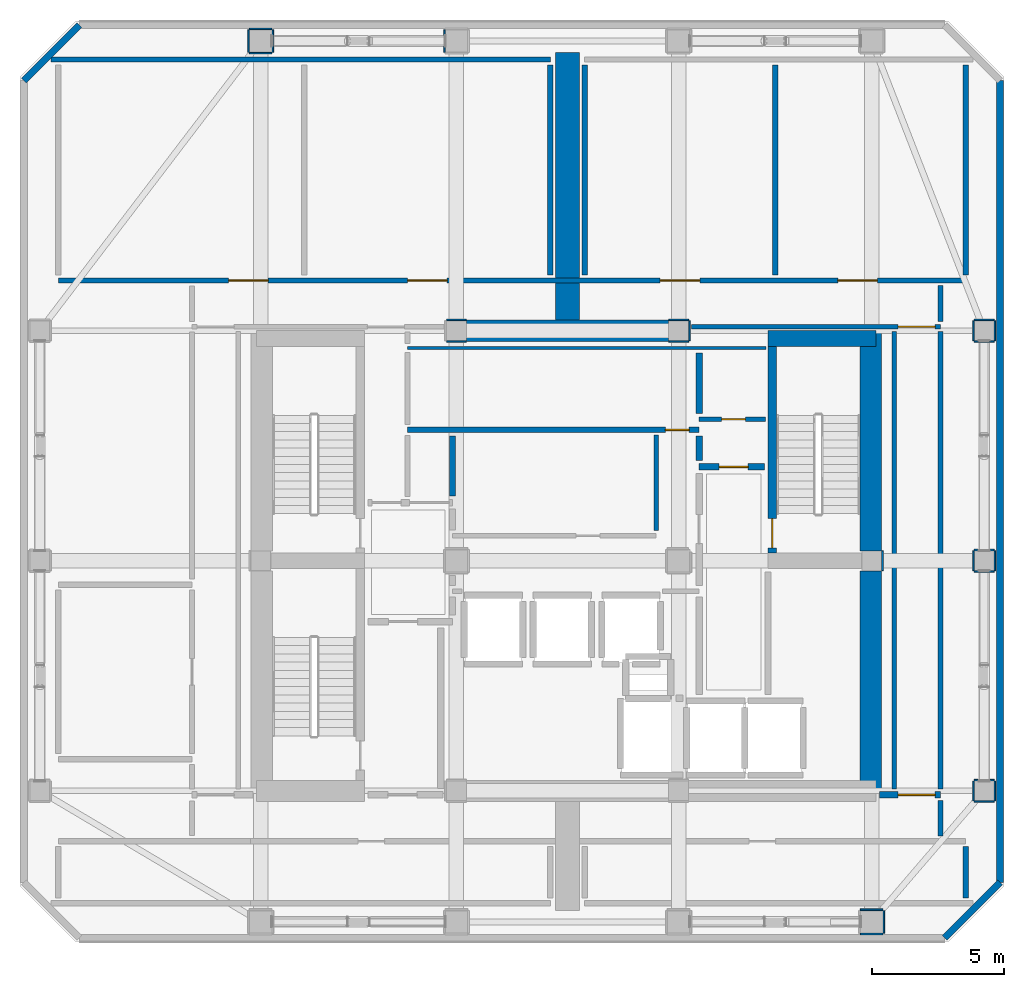
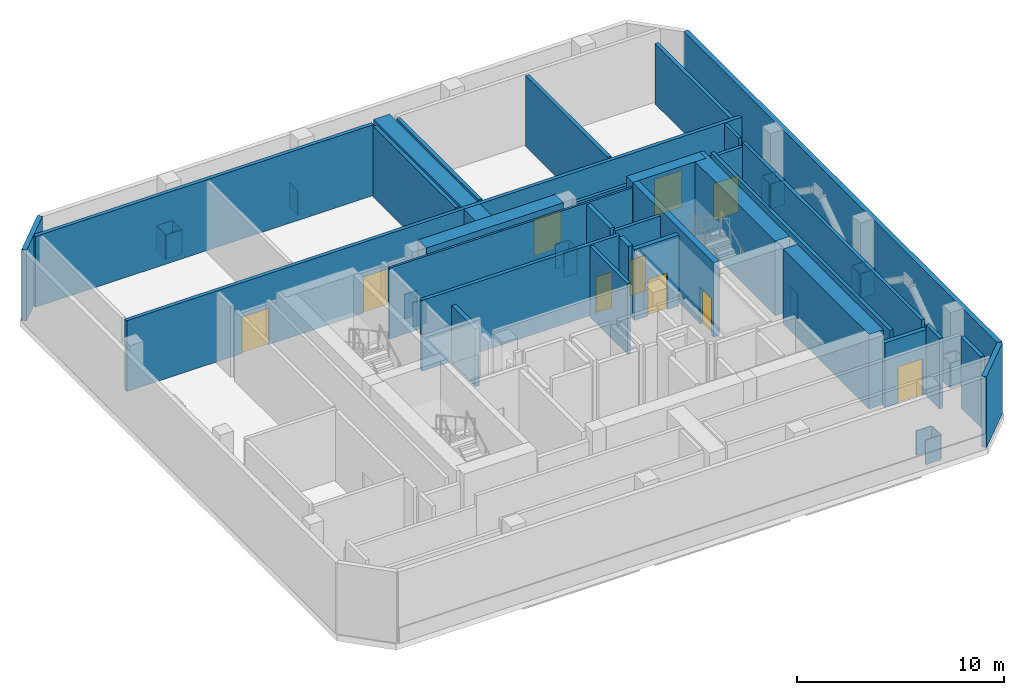
# One storey, part 10 of 13: 56 walls, 10 doors, 10 openings.
"""IFC4 building model written with IfcOpenShell, lengths in metres."""

from ifc_helpers import new_model, si_unit, direction, frame, frame_2d, origin, place, context, subcontext, project, spatial, rectangle, extrude, material, layer, layer_set, type_object, element, fill, save


model = new_model("IFC4")

# Units and contexts
model_context = context("Model", 3, precision=1e-05, world=origin(), true_north=direction((0.0, 1.0)))
body_context = subcontext(model_context, "Body", "Model", "MODEL_VIEW")
ifc_project = project(units=[si_unit("LENGTHUNIT", "METRE"), si_unit("AREAUNIT", "SQUARE_METRE"), si_unit("VOLUMEUNIT", "CUBIC_METRE"), si_unit("PLANEANGLEUNIT", "RADIAN"), si_unit("MASSUNIT", "GRAM", prefix="KILO")], contexts=[model_context])

# Site, building, storey
site_placement = place(None, origin())
site = spatial("IfcSite", under=ifc_project, at=site_placement, CompositionType="ELEMENT")
building_placement = place(site_placement, origin())
building = spatial("IfcBuilding", under=site, at=building_placement, Name="Solanera Arch Residences", CompositionType="ELEMENT")
storey_placement = place(building_placement, frame((0.0, 0.0, 257.840087890625)))
storey = spatial("IfcBuildingStorey", under=building, at=storey_placement, Name="L75", CompositionType="ELEMENT", Elevation=257.840087890625)

# Walls
ifc_material_1 = material(Name="Fire-Rated Gypsum Stud Partition", Category="gypsum")
ifc_layer_1 = layer(ifc_material_1, 0.06005859375)
ifc_layer_set_1 = layer_set([ifc_layer_1], Name="Fire-Rated Gypsum Stud Partition")
wall_type_1 = type_object("IfcWallType", Name="Column Acoustic Furring Wall 60", PredefinedType="PARTITIONING", material=ifc_layer_set_1)
for number, where, z_axis, x_axis, name in (
    (1, (20.425048828125, 38.992919921875, 0.0), (0.0, 0.0, 1.0), (1.0, 0.0, 0.0), "L75 Column Furring 3S"),
    (2, (20.425048828125, 39.806884765625, 0.0), (0.0, 0.0, 1.0), (1.0, 0.0, 0.0), "L75 Column Furring 3N"),
    (3, (28.8330078125, 38.992919921875, 0.0), (0.0, 0.0, 1.0), (1.0, 0.0, 0.0), "L75 Column Furring 4S"),
    (4, (28.8330078125, 39.806884765625, 0.0), (0.0, 0.0, 1.0), (1.0, 0.0, 0.0), "L75 Column Furring 4N"),
):
    element("IfcWall", number, at=place(storey_placement, frame(where, z_axis=z_axis, x_axis=x_axis)), inside=storey, type_object=wall_type_1, Name=name, PredefinedType="PARTITIONING", context=body_context, shape_type="SweptSolid", body=[
        extrude(rectangle(XDim=0.741943359375, YDim=0.06005859375, at=frame_2d((0.37109375, 0.0))), origin(), (0.0, 0.0, 1.0), 1.449951171875),
    ])
for number, where, z_axis, x_axis, name in (
    (5, (29.60693359375, 39.02490234375, 0.0), (0.0, 0.0, 1.0), (0.0, 1.0, 0.0), "L75 Column Furring 4E"),
    (6, (36.906982421875, 30.324951171875, 0.0), (0.0, 0.0, 1.0), (0.0, 1.0, 0.0), "L75 Column Furring 6E"),
):
    element("IfcWall", number, at=place(storey_placement, frame(where, z_axis=z_axis, x_axis=x_axis)), inside=storey, type_object=wall_type_1, Name=name, PredefinedType="PARTITIONING", context=body_context, shape_type="SweptSolid", body=[
        extrude(rectangle(XDim=0.75, YDim=0.06005859375, at=frame_2d((0.375, 0.0))), origin(), (0.0, 0.0, 1.0), 1.449951171875),
    ])
for number, where, z_axis, x_axis, name in (
    (7, (12.97509765625, 49.89306640625, 0.0), (0.0, 0.0, 1.0), (1.0, 0.0, 0.0), "L75 Column Furring 10S"),
    (8, (12.97509765625, 50.806884765625, 0.0), (0.0, 0.0, 1.0), (1.0, 0.0, 0.0), "L75 Column Furring 10N"),
    (9, (12.943115234375, 49.925048828125, 0.0), (0.0, 0.0, 1.0), (0.0, 1.0, 0.0), "L75 Column Furring 10W"),
    (10, (13.85693359375, 49.925048828125, 0.0), (0.0, 0.0, 1.0), (0.0, 1.0, 0.0), "L75 Column Furring 10E"),
    (11, (20.343017578125, 49.925048828125, 0.0), (0.0, 0.0, 1.0), (0.0, 1.0, 0.0), "L75 Column Furring 12W"),
):
    element("IfcWall", number, at=place(storey_placement, frame(where, z_axis=z_axis, x_axis=x_axis)), inside=storey, type_object=wall_type_1, Name=name, PredefinedType="PARTITIONING", context=body_context, shape_type="SweptSolid", body=[
        extrude(rectangle(XDim=0.849853515625, YDim=0.06005859375, at=frame_2d((0.4248046875, 0.0))), origin(), (0.0, 0.0, 1.0), 1.449951171875),
    ])
for number, where, z_axis, x_axis, name in (
    (12, (36.074951171875, 16.593017578125, 0.0), (0.0, 0.0, 1.0), (1.0, 0.0, 0.0), "L75 Column Furring 15S"),
    (13, (36.074951171875, 17.507080078125, 0.0), (0.0, 0.0, 1.0), (1.0, 0.0, 0.0), "L75 Column Furring 15N"),
    (14, (36.95703125, 16.625, 0.0), (0.0, 0.0, 1.0), (0.0, 1.0, 0.0), "L75 Column Furring 15E"),
):
    element("IfcWall", number, at=place(storey_placement, frame(where, z_axis=z_axis, x_axis=x_axis)), inside=storey, type_object=wall_type_1, Name=name, PredefinedType="PARTITIONING", context=body_context, shape_type="SweptSolid", body=[
        extrude(rectangle(XDim=0.85009765625, YDim=0.06005859375, at=frame_2d((0.425048828125, 0.0))), origin(), (0.0, 0.0, 1.0), 1.449951171875),
    ])
for number, where, z_axis, x_axis, name in (
    (15, (40.375, 21.593017578125, 0.0), (0.0, 0.0, 1.0), (1.0, 0.0, 0.0), "L75 Column Furring 18S"),
    (16, (40.375, 22.406982421875, 0.0), (0.0, 0.0, 1.0), (1.0, 0.0, 0.0), "L75 Column Furring 18N"),
    (17, (40.343017578125, 21.625, 0.0), (0.0, 0.0, 1.0), (0.0, 1.0, 0.0), "L75 Column Furring 18W"),
    (18, (41.156982421875, 21.625, 0.0), (0.0, 0.0, 1.0), (0.0, 1.0, 0.0), "L75 Column Furring 18E"),
    (19, (40.375, 30.29296875, 0.0), (0.0, 0.0, 1.0), (1.0, 0.0, 0.0), "L75 Column Furring 20S"),
    (20, (40.375, 31.10693359375, 0.0), (0.0, 0.0, 1.0), (1.0, 0.0, 0.0), "L75 Column Furring 20N"),
    (21, (40.343017578125, 30.324951171875, 0.0), (0.0, 0.0, 1.0), (0.0, 1.0, 0.0), "L75 Column Furring 20W"),
    (22, (41.156982421875, 30.324951171875, 0.0), (0.0, 0.0, 1.0), (0.0, 1.0, 0.0), "L75 Column Furring 20E"),
    (23, (40.375, 38.992919921875, 0.0), (0.0, 0.0, 1.0), (1.0, 0.0, 0.0), "L75 Column Furring 22S"),
    (24, (40.375, 39.806884765625, 0.0), (0.0, 0.0, 1.0), (1.0, 0.0, 0.0), "L75 Column Furring 22N"),
    (25, (40.343017578125, 39.02490234375, 0.0), (0.0, 0.0, 1.0), (0.0, 1.0, 0.0), "L75 Column Furring 22W"),
    (26, (41.156982421875, 39.02490234375, 0.0), (0.0, 0.0, 1.0), (0.0, 1.0, 0.0), "L75 Column Furring 22E"),
):
    element("IfcWall", number, at=place(storey_placement, frame(where, z_axis=z_axis, x_axis=x_axis)), inside=storey, type_object=wall_type_1, Name=name, PredefinedType="PARTITIONING", context=body_context, shape_type="SweptSolid", body=[
        extrude(rectangle(XDim=0.75, YDim=0.06005859375, at=frame_2d((0.375, 0.0))), origin(), (0.0, 0.0, 1.0), 1.449951171875),
    ])

# Wall, opening, door
ifc_material_2 = material(Name="Concrete C40/50 (f'c = 45 MPa)", Category="concrete")
ifc_layer_2 = layer(ifc_material_2, 0.320068359375)
ifc_layer_set_2 = layer_set([ifc_layer_2], Name="Concrete C40/50 (f'c = 45 MPa)")
wall_type_2 = type_object("IfcWallType", Name="Core Shear Wall CW-320", PredefinedType="SHEAR", material=ifc_layer_set_2)
wall_1_placement = place(storey_placement, frame((32.739990234375, 31.0, 0.0), z_axis=(0.0, 0.0, 1.0), x_axis=(0.0, 1.0, 0.0)))
wall_1 = element("IfcWall", 27, at=wall_1_placement, inside=storey, type_object=wall_type_2, Name="L75 Stair ST-T2 West Shear Wall", PredefinedType="SHEAR", context=body_context, shape_type="SweptSolid", body=[
    extrude(rectangle(XDim=7.800048828125, YDim=0.320068359375, at=frame_2d((3.89990234375, 0.0))), origin(), (0.0, 0.0, 1.0), 4.39990234375),
])
opening_1_placement = place(wall_1_placement, frame((0.18994140625, 0.0, 0.0)))
opening_1 = element("IfcOpeningElement", 28, at=opening_1_placement, cuts=wall_1, Name="Opening DF-01", PredefinedType="OPENING", context=body_context, shape_type="SweptSolid", body=[
    extrude(rectangle(XDim=1.10009765625, YDim=2.14990234375, at=frame_2d((0.550048828125, 1.074951171875))), frame((0.0, 0.169921875, 0.0), z_axis=(0.0, -1.0, 0.0), x_axis=(1.0, 0.0, 0.0)), (0.0, 0.0, 1.0), 0.3401),
])
ifc_material_3 = material(Name="Fire-Rated Architectural Hardwood", Category="wood")
door_type_1 = type_object("IfcDoorType", Name="Stair Exit Fire Door DF-01", OperationType="NOTDEFINED", PredefinedType="DOOR", material=ifc_material_3)
door_1_placement = place(opening_1_placement, origin())
door_1 = element("IfcDoor", 29, at=door_1_placement, inside=storey, type_object=door_type_1, Name="DR-L75-STAIR-ST-T2", OperationType="SINGLE_SWING_RIGHT", OverallHeight=2.14990234375, OverallWidth=1.10009765625, PredefinedType="DOOR", context=body_context, shape_type="SweptSolid", body=[
    extrude(rectangle(XDim=1.10009765625, YDim=2.14990234375, at=frame_2d((0.550048828125, 1.074951171875))), frame((0.0, 0.02490234375, 0.0), z_axis=(0.0, -1.0, 0.0), x_axis=(1.0, 0.0, 0.0)), (0.0, 0.0, 1.0), 0.050048828125),
])
fill(opening_1, door_1)

# Walls
ifc_material_4 = material(Name="Concrete C40/50 (f'c = 45 MPa)", Category="concrete")
ifc_layer_3 = layer(ifc_material_4, 0.60009765625)
ifc_layer_set_3 = layer_set([ifc_layer_3], Name="Concrete C40/50 (f'c = 45 MPa)")
wall_type_3 = type_object("IfcWallType", Name="Core Shear Wall CW-600", PredefinedType="SHEAR", material=ifc_layer_set_3)
wall_2_placement = place(storey_placement, frame((32.580078125, 39.10009765625, 0.0), z_axis=(0.0, 0.0, 1.0), x_axis=(1.0, 0.0, 0.0)))
element("IfcWall", 30, at=wall_2_placement, inside=storey, type_object=wall_type_3, Name="L75 North-East Core Shear Wall", PredefinedType="SHEAR", context=body_context, shape_type="SweptSolid", body=[
    extrude(rectangle(XDim=4.079833984375, YDim=0.60009765625, at=frame_2d((2.0400390625, 0.0))), origin(), (0.0, 0.0, 1.0), 4.39990234375),
])
ifc_material_5 = material(Name="Concrete C40/50 (f'c = 45 MPa)", Category="concrete")
ifc_layer_4 = layer(ifc_material_5, 0.800048828125)
ifc_layer_set_4 = layer_set([ifc_layer_4], Name="Concrete C40/50 (f'c = 45 MPa)")
wall_type_4 = type_object("IfcWallType", Name="Core Shear Wall CW-800", PredefinedType="SHEAR", material=ifc_layer_set_4)
wall_3_placement = place(storey_placement, frame((36.4599609375, 22.0, 0.0), z_axis=(0.0, 0.0, 1.0), x_axis=(0.0, 1.0, 0.0)))
element("IfcWall", 31, at=wall_3_placement, inside=storey, type_object=wall_type_4, Name="L75 East Core South Shear Wall", PredefinedType="SHEAR", context=body_context, shape_type="SweptSolid", body=[
    extrude(rectangle(XDim=8.320068359375, YDim=0.800048828125, at=frame_2d((4.16015625, 0.0))), origin(), (0.0, 0.0, 1.0), 4.39990234375),
])
wall_4_placement = place(storey_placement, frame((36.4599609375, 31.080078125, 0.0), z_axis=(0.0, 0.0, 1.0), x_axis=(0.0, 1.0, 0.0)))
element("IfcWall", 32, at=wall_4_placement, inside=storey, type_object=wall_type_4, Name="L75 East Core North Shear Wall", PredefinedType="SHEAR", context=body_context, shape_type="SweptSolid", body=[
    extrude(rectangle(XDim=8.31982421875, YDim=0.800048828125, at=frame_2d((4.159912109375, 0.0))), origin(), (0.0, 0.0, 1.0), 4.39990234375),
])
wall_5_placement = place(storey_placement, frame((21.179931640625, 39.39990234375, 0.0), z_axis=(0.0, 0.0, 1.0), x_axis=(1.0, 0.0, 0.0)))
element("IfcWall", 33, at=wall_5_placement, inside=storey, type_object=wall_type_4, Name="L75 Central North Core Shear Wall", PredefinedType="SHEAR", context=body_context, shape_type="SweptSolid", body=[
    extrude(rectangle(XDim=7.64013671875, YDim=0.800048828125, at=frame_2d((3.820068359375, 0.0))), origin(), (0.0, 0.0, 1.0), 4.39990234375),
])
ifc_material_6 = material(Name="Concrete C55/67 (f'c = 60 MPa)", Category="concrete")
ifc_layer_5 = layer(ifc_material_6, 0.89990234375)
ifc_layer_set_5 = layer_set([ifc_layer_5], Name="Concrete C55/67 (f'c = 60 MPa)")
wall_type_5 = type_object("IfcWallType", Name="Core Shear Wall Outrigger OW-900", PredefinedType="SHEAR", material=ifc_layer_set_5)
wall_6_placement = place(storey_placement, frame((25.0, 39.800048828125, 0.0), z_axis=(0.0, 0.0, 1.0), x_axis=(0.0, 1.0, 0.0)))
element("IfcWall", 34, at=wall_6_placement, inside=storey, type_object=wall_type_5, Name="L75 North Outrigger Shear Wall", PredefinedType="SHEAR", context=body_context, shape_type="SweptSolid", body=[
    extrude(rectangle(XDim=10.125, YDim=0.89990234375, at=frame_2d((5.0625, 0.0))), origin(), (0.0, 0.0, 1.0), 4.179931640625),
])

# Wall, opening, door
ifc_material_7 = material(Name="Autoclaved Aerated Concrete Blockwork", Category="masonry")
ifc_layer_6 = layer(ifc_material_7, 0.179931640625)
ifc_layer_set_6 = layer_set([ifc_layer_6], Name="Autoclaved Aerated Concrete Blockwork")
wall_type_6 = type_object("IfcWallType", Name="Corridor Fire Partition 180", PredefinedType="PARTITIONING", material=ifc_layer_set_6)
wall_7_placement = place(storey_placement, frame((29.97509765625, 36.050048828125, 0.0), z_axis=(0.0, 0.0, 1.0), x_axis=(1.0, 0.0, 0.0)))
wall_7 = element("IfcWall", 35, at=wall_7_placement, inside=storey, type_object=wall_type_6, Name="L75 Interior Partition H17", PredefinedType="PARTITIONING", context=body_context, shape_type="SweptSolid", body=[
    extrude(rectangle(XDim=2.5048828125, YDim=0.179931640625, at=frame_2d((1.25244140625, 0.0))), origin(), (0.0, 0.0, 1.0), 4.179931640625),
])
opening_2_placement = place(wall_7_placement, frame((0.85205078125, 0.0, 0.0)))
opening_2 = element("IfcOpeningElement", 36, at=opening_2_placement, cuts=wall_7, Name="Opening DI-02", PredefinedType="OPENING", context=body_context, shape_type="SweptSolid", body=[
    extrude(rectangle(XDim=0.89990234375, YDim=2.10009765625, at=frame_2d((0.449951171875, 1.050048828125))), frame((0.0, 0.10009765625, 0.0), z_axis=(0.0, -1.0, 0.0), x_axis=(1.0, 0.0, 0.0)), (0.0, 0.0, 1.0), 0.1999),
])
ifc_material_8 = material(Name="Fire-Rated Architectural Hardwood", Category="wood")
door_type_2 = type_object("IfcDoorType", Name="Suite Room Swing Door DI-02", OperationType="NOTDEFINED", PredefinedType="DOOR", material=ifc_material_8)
door_2_placement = place(opening_2_placement, origin())
door_2 = element("IfcDoor", 37, at=door_2_placement, inside=storey, type_object=door_type_2, Name="DR-L75-IN-015", OperationType="SINGLE_SWING_LEFT", OverallHeight=2.10009765625, OverallWidth=0.89990234375, PredefinedType="DOOR", context=body_context, shape_type="SweptSolid", body=[
    extrude(rectangle(XDim=0.89990234375, YDim=2.10009765625, at=frame_2d((0.449951171875, 1.050048828125))), frame((0.0, 0.02490234375, 0.0), z_axis=(0.0, -1.0, 0.0), x_axis=(1.0, 0.0, 0.0)), (0.0, 0.0, 1.0), 0.050048828125),
])
fill(opening_2, door_2)

wall_8_placement = place(storey_placement, frame((29.677001953125, 39.550048828125, 0.0), z_axis=(0.0, 0.0, 1.0), x_axis=(1.0, 0.0, 0.0)))
wall_8 = element("IfcWall", 38, at=wall_8_placement, inside=storey, type_object=wall_type_6, Name="L75 Interior Partition H18 2", PredefinedType="PARTITIONING", context=body_context, shape_type="SweptSolid", body=[
    extrude(rectangle(XDim=9.423095703125, YDim=0.179931640625, at=frame_2d((4.71142578125, 0.0))), origin(), (0.0, 0.0, 1.0), 3.806884765625),
])
opening_3_placement = place(wall_8_placement, frame((7.823974609375, 0.0, 0.0)))
opening_3 = element("IfcOpeningElement", 39, at=opening_3_placement, cuts=wall_8, Name="Opening DF-03", PredefinedType="OPENING", context=body_context, shape_type="SweptSolid", body=[
    extrude(rectangle(XDim=1.39990234375, YDim=2.14990234375, at=frame_2d((0.699951171875, 1.074951171875))), frame((0.0, 0.10009765625, 0.0), z_axis=(0.0, -1.0, 0.0), x_axis=(1.0, 0.0, 0.0)), (0.0, 0.0, 1.0), 0.1999),
])
ifc_material_9 = material(Name="Fire-Rated Architectural Hardwood", Category="wood")
door_type_3 = type_object("IfcDoorType", Name="Corridor Smoke Door DF-03", OperationType="NOTDEFINED", PredefinedType="DOOR", material=ifc_material_9)
door_3_placement = place(opening_3_placement, origin())
door_3 = element("IfcDoor", 40, at=door_3_placement, inside=storey, type_object=door_type_3, Name="DR-L75-IN-013", OperationType="SINGLE_SWING_LEFT", OverallHeight=2.14990234375, OverallWidth=1.39990234375, PredefinedType="DOOR", context=body_context, shape_type="SweptSolid", body=[
    extrude(rectangle(XDim=1.39990234375, YDim=2.14990234375, at=frame_2d((0.699951171875, 1.074951171875))), frame((0.0, 0.02490234375, 0.0), z_axis=(0.0, -1.0, 0.0), x_axis=(1.0, 0.0, 0.0)), (0.0, 0.0, 1.0), 0.050048828125),
])
fill(opening_3, door_3)

# Walls
wall_9_placement = place(storey_placement, frame((28.35009765625, 31.837890625, 0.0), z_axis=(0.0, 0.0, 1.0), x_axis=(0.0, 1.0, 0.0)))
element("IfcWall", 41, at=wall_9_placement, inside=storey, type_object=wall_type_6, Name="L75 Interior Partition V20", PredefinedType="PARTITIONING", context=body_context, shape_type="SweptSolid", body=[
    extrude(rectangle(XDim=3.614013671875, YDim=0.179931640625, at=frame_2d((1.80712890625, 0.0))), origin(), (0.0, 0.0, 1.0), 4.179931640625),
])
wall_10_placement = place(storey_placement, frame((37.35009765625, 22.068115234375, 0.0), z_axis=(0.0, 0.0, 1.0), x_axis=(0.0, 1.0, 0.0)))
element("IfcWall", 42, at=wall_10_placement, inside=storey, type_object=wall_type_6, Name="L75 Interior Partition V21", PredefinedType="PARTITIONING", context=body_context, shape_type="SweptSolid", body=[
    extrude(rectangle(XDim=17.2939453125, YDim=0.179931640625, at=frame_2d((8.64697265625, 0.0))), origin(), (0.0, 0.0, 1.0), 4.179931640625),
])
wall_11_placement = place(storey_placement, frame((39.10009765625, 20.298095703125, 0.0), z_axis=(0.0, 0.0, 1.0), x_axis=(0.0, 1.0, 0.0)))
element("IfcWall", 43, at=wall_11_placement, inside=storey, type_object=wall_type_6, Name="L75 Interior Partition V22 1", PredefinedType="PARTITIONING", context=body_context, shape_type="SweptSolid", body=[
    extrude(rectangle(XDim=1.333984375, YDim=0.179931640625, at=frame_2d((0.6669921875, 0.0))), origin(), (0.0, 0.0, 1.0), 4.179931640625),
])
wall_12_placement = place(storey_placement, frame((39.10009765625, 22.068115234375, 0.0), z_axis=(0.0, 0.0, 1.0), x_axis=(0.0, 1.0, 0.0)))
element("IfcWall", 44, at=wall_12_placement, inside=storey, type_object=wall_type_6, Name="L75 Interior Partition V22 2", PredefinedType="PARTITIONING", context=body_context, shape_type="SweptSolid", body=[
    extrude(rectangle(XDim=17.2939453125, YDim=0.179931640625, at=frame_2d((8.64697265625, 0.0))), origin(), (0.0, 0.0, 1.0), 4.179931640625),
])
wall_13_placement = place(storey_placement, frame((39.10009765625, 39.738037109375, 0.0), z_axis=(0.0, 0.0, 1.0), x_axis=(0.0, 1.0, 0.0)))
element("IfcWall", 45, at=wall_13_placement, inside=storey, type_object=wall_type_6, Name="L75 Interior Partition V22 3", PredefinedType="PARTITIONING", context=body_context, shape_type="SweptSolid", body=[
    extrude(rectangle(XDim=1.364013671875, YDim=0.179931640625, at=frame_2d((0.68212890625, 0.0))), origin(), (0.0, 0.0, 1.0), 4.179931640625),
])
ifc_material_10 = material(Name="Precast Concrete C35/45", Category="concrete")
ifc_layer_7 = layer(ifc_material_10, 0.260009765625)
ifc_layer_set_7 = layer_set([ifc_layer_7], Name="Precast Concrete C35/45")
wall_type_7 = type_object("IfcWallType", Name="Exterior Wall Precast Masonry-Frame 260", PredefinedType="STANDARD", material=ifc_layer_set_7)
wall_14_placement = place(storey_placement, frame((4.445068359375, 48.85498046875, 0.0), z_axis=(0.0, 0.0, 1.0), x_axis=(0.707065676302, 0.707147883682, 0.0)))
element("IfcWall", 46, at=wall_14_placement, inside=storey, type_object=wall_type_7, Name="L75 Tower Exterior Precast Masonry-Frame Wall CH1", PredefinedType="STANDARD", context=body_context, shape_type="SweptSolid", body=[
    extrude(rectangle(XDim=2.9697265625, YDim=0.260009765625, at=frame_2d((1.48486328125, 0.0))), origin(), (0.0, 0.0, 1.0), 4.179931640625),
])
wall_15_placement = place(storey_placement, frame((41.35498046875, 48.85498046875, 0.0), z_axis=(0.0, 0.0, 1.0), x_axis=(0.0, -1.0, 0.0)))
element("IfcWall", 47, at=wall_15_placement, inside=storey, type_object=wall_type_7, Name="L75 Tower Exterior Precast Masonry-Frame Wall E", PredefinedType="STANDARD", context=body_context, shape_type="SweptSolid", body=[
    extrude(rectangle(XDim=30.31005859375, YDim=0.260009765625, at=frame_2d((15.155029296875, 0.0))), origin(), (0.0, 0.0, 1.0), 4.179931640625),
])
wall_16_placement = place(storey_placement, frame((41.35498046875, 18.544921875, 0.0), z_axis=(0.0, 0.0, 1.0), x_axis=(-0.707147883682, -0.707065676302, 0.0)))
element("IfcWall", 48, at=wall_16_placement, inside=storey, type_object=wall_type_7, Name="L75 Tower Exterior Precast Masonry-Frame Wall CH5", PredefinedType="STANDARD", context=body_context, shape_type="SweptSolid", body=[
    extrude(rectangle(XDim=2.9697265625, YDim=0.260009765625, at=frame_2d((1.48486328125, 0.0))), origin(), (0.0, 0.0, 1.0), 4.179931640625),
])

# Wall, opening, door
ifc_material_11 = material(Name="Autoclaved Aerated Concrete Blockwork", Category="masonry")
ifc_layer_8 = layer(ifc_material_11, 0.199951171875)
ifc_layer_set_8 = layer_set([ifc_layer_8], Name="Autoclaved Aerated Concrete Blockwork")
wall_type_8 = type_object("IfcWallType", Name="Party Wall Acoustic 200", PredefinedType="PARTITIONING", material=ifc_layer_set_8)
wall_17_placement = place(storey_placement, frame((18.949951171875, 35.64990234375, 0.0), z_axis=(0.0, 0.0, 1.0), x_axis=(1.0, 0.0, 0.0)))
wall_17 = element("IfcWall", 49, at=wall_17_placement, inside=storey, type_object=wall_type_8, Name="L75 Interior Partition H11", PredefinedType="PARTITIONING", context=body_context, shape_type="SweptSolid", body=[
    extrude(rectangle(XDim=11.025146484375, YDim=0.199951171875, at=frame_2d((5.5126953125, 0.0))), origin(), (0.0, 0.0, 1.0), 4.179931640625),
])
opening_4_placement = place(wall_17_placement, frame((9.7490234375, 0.0, 0.0)))
opening_4 = element("IfcOpeningElement", 50, at=opening_4_placement, cuts=wall_17, Name="Opening DI-02", PredefinedType="OPENING", context=body_context, shape_type="SweptSolid", body=[
    extrude(rectangle(XDim=0.89990234375, YDim=2.10009765625, at=frame_2d((0.449951171875, 1.050048828125))), frame((0.0, 0.110107421875, 0.0), z_axis=(0.0, -1.0, 0.0), x_axis=(1.0, 0.0, 0.0)), (0.0, 0.0, 1.0), 0.22),
])
door_4_placement = place(opening_4_placement, origin())
door_4 = element("IfcDoor", 51, at=door_4_placement, inside=storey, type_object=door_type_2, Name="DR-L75-IN-016", OperationType="SINGLE_SWING_RIGHT", OverallHeight=2.10009765625, OverallWidth=0.89990234375, PredefinedType="DOOR", context=body_context, shape_type="SweptSolid", body=[
    extrude(rectangle(XDim=0.89990234375, YDim=2.10009765625, at=frame_2d((0.449951171875, 1.050048828125))), frame((0.0, 0.02490234375, 0.0), z_axis=(0.0, -1.0, 0.0), x_axis=(1.0, 0.0, 0.0)), (0.0, 0.0, 1.0), 0.050048828125),
])
fill(opening_4, door_4)

# Wall, openings, doors
wall_18_placement = place(storey_placement, frame((5.75, 41.300048828125, 0.0), z_axis=(0.0, 0.0, 1.0), x_axis=(1.0, 0.0, 0.0)))
wall_18 = element("IfcWall", 52, at=wall_18_placement, inside=storey, type_object=wall_type_8, Name="L75 Interior Partition H12", PredefinedType="PARTITIONING", context=body_context, shape_type="SweptSolid", body=[
    extrude(rectangle(XDim=34.300048828125, YDim=0.199951171875, at=frame_2d((17.14990234375, 0.0))), origin(), (0.0, 0.0, 1.0), 4.179931640625),
])
opening_5_placement = place(wall_18_placement, frame((22.75, 0.0, 0.0)))
opening_5 = element("IfcOpeningElement", 53, at=opening_5_placement, cuts=wall_18, Name="Opening DP-01", PredefinedType="OPENING", context=body_context, shape_type="SweptSolid", body=[
    extrude(rectangle(XDim=1.5, YDim=2.14990234375, at=frame_2d((0.75, 1.074951171875))), frame((0.0, 0.110107421875, 0.0), z_axis=(0.0, -1.0, 0.0), x_axis=(1.0, 0.0, 0.0)), (0.0, 0.0, 1.0), 0.22),
])
opening_6_placement = place(wall_18_placement, frame((29.465087890625, 0.0, 0.0)))
opening_6 = element("IfcOpeningElement", 54, at=opening_6_placement, cuts=wall_18, Name="Opening DP-01", PredefinedType="OPENING", context=body_context, shape_type="SweptSolid", body=[
    extrude(rectangle(XDim=1.5, YDim=2.14990234375, at=frame_2d((0.75, 1.074951171875))), frame((0.0, 0.110107421875, 0.0), z_axis=(0.0, -1.0, 0.0), x_axis=(1.0, 0.0, 0.0)), (0.0, 0.0, 1.0), 0.22),
])
opening_7_placement = place(wall_18_placement, frame((6.43505859375, 0.0, 0.0)))
opening_7 = element("IfcOpeningElement", 55, at=opening_7_placement, cuts=wall_18, Name="Opening DP-01", PredefinedType="OPENING", context=body_context, shape_type="SweptSolid", body=[
    extrude(rectangle(XDim=1.5, YDim=2.14990234375, at=frame_2d((0.75, 1.074951171875))), frame((0.0, 0.110107421875, 0.0), z_axis=(0.0, -1.0, 0.0), x_axis=(1.0, 0.0, 0.0)), (0.0, 0.0, 1.0), 0.22),
])
opening_8_placement = place(wall_18_placement, frame((13.199951171875, 0.0, 0.0)))
opening_8 = element("IfcOpeningElement", 56, at=opening_8_placement, cuts=wall_18, Name="Opening DP-01", PredefinedType="OPENING", context=body_context, shape_type="SweptSolid", body=[
    extrude(rectangle(XDim=1.5, YDim=2.14990234375, at=frame_2d((0.75, 1.074951171875))), frame((0.0, 0.110107421875, 0.0), z_axis=(0.0, -1.0, 0.0), x_axis=(1.0, 0.0, 0.0)), (0.0, 0.0, 1.0), 0.22),
])
ifc_material_12 = material(Name="Fire-Rated Architectural Hardwood", Category="wood")
door_type_4 = type_object("IfcDoorType", Name="Plant Double Fire Door DP-01", OperationType="NOTDEFINED", PredefinedType="DOOR", material=ifc_material_12)
door_5_placement = place(opening_5_placement, origin())
door_5 = element("IfcDoor", 57, at=door_5_placement, inside=storey, type_object=door_type_4, Name="DR-L75-IN-020", OperationType="SINGLE_SWING_RIGHT", OverallHeight=2.14990234375, OverallWidth=1.5, PredefinedType="DOOR", context=body_context, shape_type="SweptSolid", body=[
    extrude(rectangle(XDim=1.5, YDim=2.14990234375, at=frame_2d((0.75, 1.074951171875))), frame((0.0, 0.02490234375, 0.0), z_axis=(0.0, -1.0, 0.0), x_axis=(1.0, 0.0, 0.0)), (0.0, 0.0, 1.0), 0.050048828125),
])
fill(opening_5, door_5)
door_6_placement = place(opening_6_placement, origin())
door_6 = element("IfcDoor", 58, at=door_6_placement, inside=storey, type_object=door_type_4, Name="DR-L75-IN-021", OperationType="SINGLE_SWING_LEFT", OverallHeight=2.14990234375, OverallWidth=1.5, PredefinedType="DOOR", context=body_context, shape_type="SweptSolid", body=[
    extrude(rectangle(XDim=1.5, YDim=2.14990234375, at=frame_2d((0.75, 1.074951171875))), frame((0.0, 0.02490234375, 0.0), z_axis=(0.0, -1.0, 0.0), x_axis=(1.0, 0.0, 0.0)), (0.0, 0.0, 1.0), 0.050048828125),
])
fill(opening_6, door_6)
door_7_placement = place(opening_7_placement, origin())
door_7 = element("IfcDoor", 59, at=door_7_placement, inside=storey, type_object=door_type_4, Name="DR-L75-IN-023", OperationType="SINGLE_SWING_LEFT", OverallHeight=2.14990234375, OverallWidth=1.5, PredefinedType="DOOR", context=body_context, shape_type="SweptSolid", body=[
    extrude(rectangle(XDim=1.5, YDim=2.14990234375, at=frame_2d((0.75, 1.074951171875))), frame((0.0, 0.02490234375, 0.0), z_axis=(0.0, -1.0, 0.0), x_axis=(1.0, 0.0, 0.0)), (0.0, 0.0, 1.0), 0.050048828125),
])
fill(opening_7, door_7)
door_8_placement = place(opening_8_placement, origin())
door_8 = element("IfcDoor", 60, at=door_8_placement, inside=storey, type_object=door_type_4, Name="DR-L75-IN-024", OperationType="SINGLE_SWING_RIGHT", OverallHeight=2.14990234375, OverallWidth=1.5, PredefinedType="DOOR", context=body_context, shape_type="SweptSolid", body=[
    extrude(rectangle(XDim=1.5, YDim=2.14990234375, at=frame_2d((0.75, 1.074951171875))), frame((0.0, 0.02490234375, 0.0), z_axis=(0.0, -1.0, 0.0), x_axis=(1.0, 0.0, 0.0)), (0.0, 0.0, 1.0), 0.050048828125),
])
fill(opening_8, door_8)

# Walls
wall_19_placement = place(storey_placement, frame((5.468994140625, 49.64990234375, 0.0), z_axis=(0.0, 0.0, 1.0), x_axis=(1.0, 0.0, 0.0)))
element("IfcWall", 61, at=wall_19_placement, inside=storey, type_object=wall_type_8, Name="L75 Interior Partition H13", PredefinedType="PARTITIONING", context=body_context, shape_type="SweptSolid", body=[
    extrude(rectangle(XDim=18.881103515625, YDim=0.199951171875, at=frame_2d((9.4404296875, 0.0))), origin(), (0.0, 0.0, 1.0), 4.179931640625),
])
for number, where, z_axis, x_axis, name in (
    (62, (24.35009765625, 41.508056640625, 0.0), (0.0, 0.0, 1.0), (0.0, 1.0, 0.0), "L75 Interior Partition V13"),
    (63, (25.64990234375, 41.508056640625, 0.0), (0.0, 0.0, 1.0), (0.0, 1.0, 0.0), "L75 Interior Partition V15"),
    (64, (32.85009765625, 41.508056640625, 0.0), (0.0, 0.0, 1.0), (0.0, 1.0, 0.0), "L75 Interior Partition V16"),
):
    element("IfcWall", number, at=place(storey_placement, frame(where, z_axis=z_axis, x_axis=x_axis)), inside=storey, type_object=wall_type_8, Name=name, PredefinedType="PARTITIONING", context=body_context, shape_type="SweptSolid", body=[
        extrude(rectangle(XDim=7.933837890625, YDim=0.199951171875, at=frame_2d((3.966796875, 0.0))), origin(), (0.0, 0.0, 1.0), 4.179931640625),
    ])
wall_20_placement = place(storey_placement, frame((40.050048828125, 17.9580078125, 0.0), z_axis=(0.0, 0.0, 1.0), x_axis=(0.0, 1.0, 0.0)))
element("IfcWall", 65, at=wall_20_placement, inside=storey, type_object=wall_type_8, Name="L75 Interior Partition V17", PredefinedType="PARTITIONING", context=body_context, shape_type="SweptSolid", body=[
    extrude(rectangle(XDim=1.93408203125, YDim=0.199951171875, at=frame_2d((0.967041015625, 0.0))), origin(), (0.0, 0.0, 1.0), 4.179931640625),
])
wall_21_placement = place(storey_placement, frame((40.050048828125, 41.508056640625, 0.0), z_axis=(0.0, 0.0, 1.0), x_axis=(0.0, 1.0, 0.0)))
element("IfcWall", 66, at=wall_21_placement, inside=storey, type_object=wall_type_8, Name="L75 Interior Partition V18", PredefinedType="PARTITIONING", context=body_context, shape_type="SweptSolid", body=[
    extrude(rectangle(XDim=7.933837890625, YDim=0.199951171875, at=frame_2d((3.966796875, 0.0))), origin(), (0.0, 0.0, 1.0), 3.556884765625),
])

# Wall, opening, door
ifc_material_13 = material(Name="Autoclaved Aerated Concrete Blockwork", Category="masonry")
ifc_layer_9 = layer(ifc_material_13, 0.239990234375)
ifc_layer_set_9 = layer_set([ifc_layer_9], Name="Autoclaved Aerated Concrete Blockwork")
wall_type_9 = type_object("IfcWallType", Name="Shaft Wall Fire-Rated 240", PredefinedType="PARTITIONING", material=ifc_layer_set_9)
wall_22_placement = place(storey_placement, frame((36.7900390625, 21.85009765625, 0.0), z_axis=(0.0, 0.0, 1.0), x_axis=(1.0, 0.0, 0.0)))
wall_22 = element("IfcWall", 67, at=wall_22_placement, inside=storey, type_object=wall_type_9, Name="L75 Interior Partition H1 3", PredefinedType="PARTITIONING", context=body_context, shape_type="SweptSolid", body=[
    extrude(rectangle(XDim=2.31005859375, YDim=0.239990234375, at=frame_2d((1.155029296875, 0.0))), origin(), (0.0, 0.0, 1.0), 3.806884765625),
])
opening_9_placement = place(wall_22_placement, frame((0.7109375, 0.0, 0.0)))
opening_9 = element("IfcOpeningElement", 68, at=opening_9_placement, cuts=wall_22, Name="Opening DF-03", PredefinedType="OPENING", context=body_context, shape_type="SweptSolid", body=[
    extrude(rectangle(XDim=1.39990234375, YDim=2.14990234375, at=frame_2d((0.699951171875, 1.074951171875))), frame((0.0, 0.1298828125, 0.0), z_axis=(0.0, -1.0, 0.0), x_axis=(1.0, 0.0, 0.0)), (0.0, 0.0, 1.0), 0.26),
])
door_9_placement = place(opening_9_placement, origin())
door_9 = element("IfcDoor", 69, at=door_9_placement, inside=storey, type_object=door_type_3, Name="DR-L75-IN-011", OperationType="SINGLE_SWING_LEFT", OverallHeight=2.14990234375, OverallWidth=1.39990234375, PredefinedType="DOOR", context=body_context, shape_type="SweptSolid", body=[
    extrude(rectangle(XDim=1.39990234375, YDim=2.14990234375, at=frame_2d((0.699951171875, 1.074951171875))), frame((0.0, 0.02490234375, 0.0), z_axis=(0.0, -1.0, 0.0), x_axis=(1.0, 0.0, 0.0)), (0.0, 0.0, 1.0), 0.050048828125),
])
fill(opening_9, door_9)

wall_23_placement = place(storey_placement, frame((29.97509765625, 34.25, 0.0), z_axis=(0.0, 0.0, 1.0), x_axis=(1.0, 0.0, 0.0)))
wall_23 = element("IfcWall", 70, at=wall_23_placement, inside=storey, type_object=wall_type_9, Name="L75 Interior Partition H5", PredefinedType="PARTITIONING", context=body_context, shape_type="SweptSolid", body=[
    extrude(rectangle(XDim=2.474853515625, YDim=0.239990234375, at=frame_2d((1.2373046875, 0.0))), origin(), (0.0, 0.0, 1.0), 4.179931640625),
])
opening_10_placement = place(wall_23_placement, frame((0.751953125, 0.0, 0.0)))
opening_10 = element("IfcOpeningElement", 71, at=opening_10_placement, cuts=wall_23, Name="Opening DF-02", PredefinedType="OPENING", context=body_context, shape_type="SweptSolid", body=[
    extrude(rectangle(XDim=1.10009765625, YDim=2.14990234375, at=frame_2d((0.550048828125, 1.074951171875))), frame((0.0, 0.1298828125, 0.0), z_axis=(0.0, -1.0, 0.0), x_axis=(1.0, 0.0, 0.0)), (0.0, 0.0, 1.0), 0.26),
])
ifc_material_14 = material(Name="Fire-Rated Architectural Hardwood", Category="wood")
door_type_5 = type_object("IfcDoorType", Name="Firefighting Lobby Fire Door DF-02", OperationType="NOTDEFINED", PredefinedType="DOOR", material=ifc_material_14)
door_10_placement = place(opening_10_placement, origin())
door_10 = element("IfcDoor", 72, at=door_10_placement, inside=storey, type_object=door_type_5, Name="DR-L75-IN-007", OperationType="SINGLE_SWING_LEFT", OverallHeight=2.14990234375, OverallWidth=1.10009765625, PredefinedType="DOOR", context=body_context, shape_type="SweptSolid", body=[
    extrude(rectangle(XDim=1.10009765625, YDim=2.14990234375, at=frame_2d((0.550048828125, 1.074951171875))), frame((0.0, 0.02490234375, 0.0), z_axis=(0.0, -1.0, 0.0), x_axis=(1.0, 0.0, 0.0)), (0.0, 0.0, 1.0), 0.050048828125),
])
fill(opening_10, door_10)

# Walls
wall_24_placement = place(storey_placement, frame((20.64990234375, 33.14794921875, 0.0), z_axis=(0.0, 0.0, 1.0), x_axis=(0.0, 1.0, 0.0)))
element("IfcWall", 73, at=wall_24_placement, inside=storey, type_object=wall_type_9, Name="L75 Interior Partition V3 4", PredefinedType="PARTITIONING", context=body_context, shape_type="SweptSolid", body=[
    extrude(rectangle(XDim=2.274169921875, YDim=0.239990234375, at=frame_2d((1.13720703125, 0.0))), origin(), (0.0, 0.0, 1.0), 3.414794921875),
])
wall_25_placement = place(storey_placement, frame((29.97509765625, 34.498046875, 0.0), z_axis=(0.0, 0.0, 1.0), x_axis=(0.0, 1.0, 0.0)))
element("IfcWall", 74, at=wall_25_placement, inside=storey, type_object=wall_type_9, Name="L75 Interior Partition V4 3", PredefinedType="PARTITIONING", context=body_context, shape_type="SweptSolid", body=[
    extrude(rectangle(XDim=0.924072265625, YDim=0.239990234375, at=frame_2d((0.4619140625, 0.0))), origin(), (0.0, 0.0, 1.0), 4.179931640625),
])
wall_26_placement = place(storey_placement, frame((29.97509765625, 36.26806640625, 0.0), z_axis=(0.0, 0.0, 1.0), x_axis=(0.0, 1.0, 0.0)))
element("IfcWall", 75, at=wall_26_placement, inside=storey, type_object=wall_type_9, Name="L75 Interior Partition V4 4", PredefinedType="PARTITIONING", context=body_context, shape_type="SweptSolid", body=[
    extrude(rectangle(XDim=2.2939453125, YDim=0.239990234375, at=frame_2d((1.14697265625, 0.0))), origin(), (0.0, 0.0, 1.0), 4.179931640625),
])
ifc_material_15 = material(Name="Fire-Rated Gypsum Stud Partition", Category="gypsum")
ifc_layer_10 = layer(ifc_material_15, 0.1201171875)
ifc_layer_set_10 = layer_set([ifc_layer_10], Name="Fire-Rated Gypsum Stud Partition")
wall_type_10 = type_object("IfcWallType", Name="Unit Drywall Partition 120", PredefinedType="PARTITIONING", material=ifc_layer_set_10)
wall_27_placement = place(storey_placement, frame((18.949951171875, 38.75, 0.0), z_axis=(0.0, 0.0, 1.0), x_axis=(1.0, 0.0, 0.0)))
element("IfcWall", 76, at=wall_27_placement, inside=storey, type_object=wall_type_10, Name="L75 Interior Partition H19", PredefinedType="PARTITIONING", context=body_context, shape_type="SweptSolid", body=[
    extrude(rectangle(XDim=13.56005859375, YDim=0.1201171875, at=frame_2d((6.780029296875, 0.0))), origin(), (0.0, 0.0, 1.0), 4.179931640625),
])

save(model, "model.ifc")
